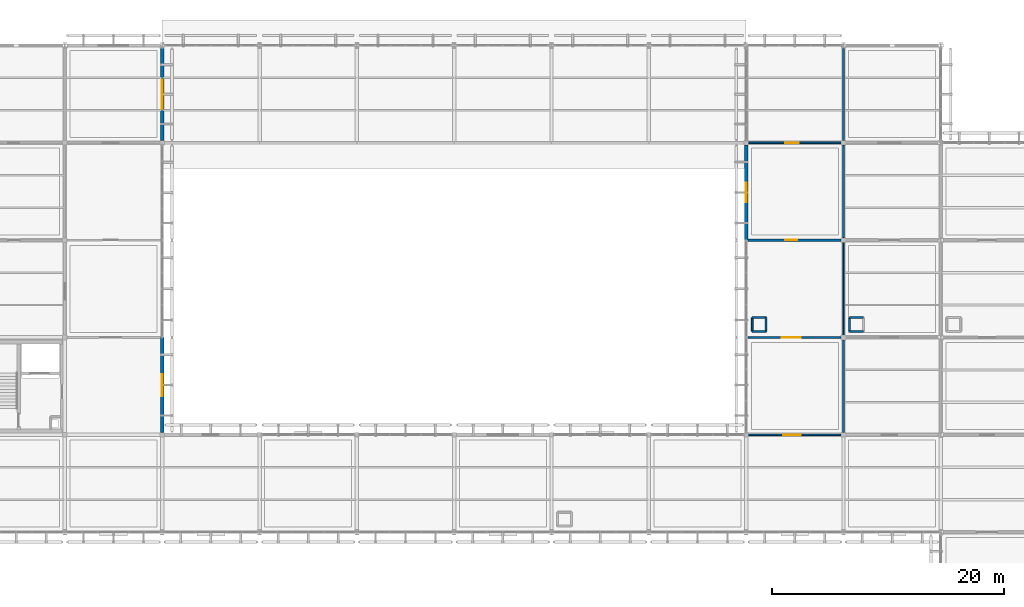
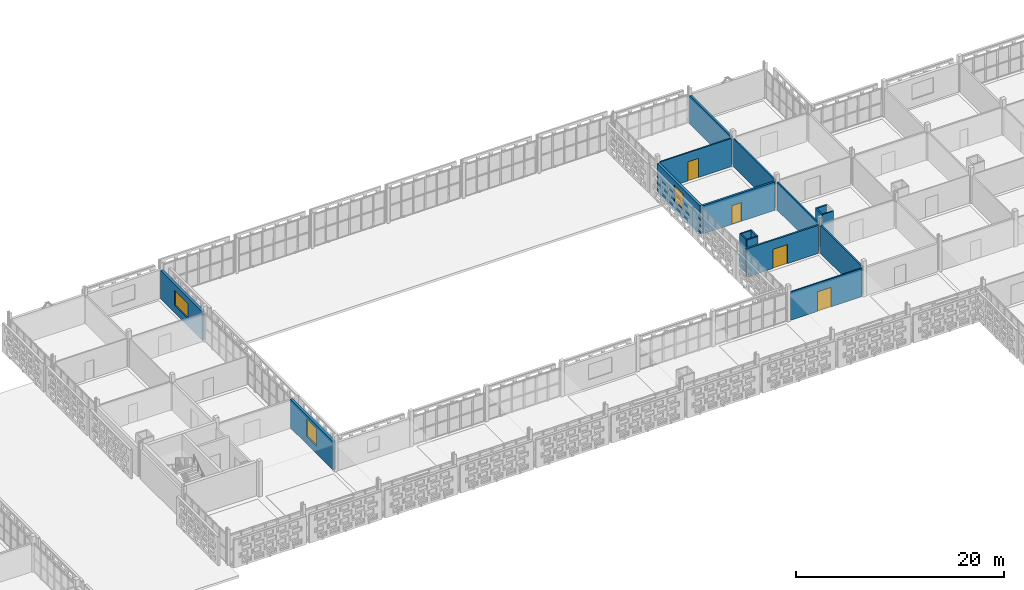
# One storey, part 102 of 166: 18 walls, 4 doors, 3 windows, 7 openings.
"""IFC4 building model written with IfcOpenShell, lengths in metres."""

import ifcopenshell
import ifcopenshell.guid

model = None  # the IFC model being written
_history = None  # IfcOwnerHistory: only IFC2X3 demands one
_inside = {}  # id of a spatial element -> (the spatial element, [elements in it])
_under = {}  # id of a project, library or spatial element -> (it, [spatial elements below it])
_declared = {}  # id of a project -> (the project, [libraries it declares])
_typed = {}  # id of a type object -> (the type object, [elements of that type])
_made_of = {}  # id of a material, layer set ... -> (it, [elements and type objects made of it])


def new_model(schema):
    """Start an empty IFC model of exactly this schema.

    Asked for "IFC4X3", IfcOpenShell would pick the latest addendum, in which some entities
    have other attributes; the version numbers below select the first issue.
    IFC2X3 requires an IfcOwnerHistory on every rooted entity: one is made here for all.
    """
    global model, _history
    if schema == "IFC4X3":
        model = ifcopenshell.file(schema_version=(4, 3, 0, 0))
    else:
        model = ifcopenshell.file(schema=schema)
    _inside.clear()
    _under.clear()
    _declared.clear()
    _typed.clear()
    _made_of.clear()
    _history = None
    if model.schema == "IFC2X3":
        org = make("IfcOrganization", Name="unknown")
        user = make(
            "IfcPersonAndOrganization",
            ThePerson=make("IfcPerson", FamilyName="unknown"),
            TheOrganization=org,
        )
        app = make(
            "IfcApplication",
            ApplicationDeveloper=org,
            Version="unknown",
            ApplicationFullName="unknown",
            ApplicationIdentifier="unknown",
        )
        _history = make(
            "IfcOwnerHistory",
            OwningUser=user,
            OwningApplication=app,
            ChangeAction="ADDED",
            CreationDate=0,
        )
    return model


def make(cls, **values):
    """One entity of the class cls with the attributes given. An attribute that is None is left unset."""
    return model.create_entity(
        cls, **{name: value for name, value in values.items() if value is not None}
    )


def rooted(cls, **values):
    """An entity with a GlobalId (a new one), such as an element, a storey or a relation."""
    return make(cls, GlobalId=ifcopenshell.guid.new(), OwnerHistory=_history, **values)


def si_unit(unit_type, name, prefix=None):
    """IfcSIUnit, for example si_unit("LENGTHUNIT", "METRE", prefix="MILLI")."""
    return make("IfcSIUnit", UnitType=unit_type, Prefix=prefix, Name=name)


def assignment(units):
    """IfcUnitAssignment: the units of a project."""
    return None if units is None else make("IfcUnitAssignment", Units=units)


def point(xyz):
    """IfcCartesianPoint."""
    return None if xyz is None else make("IfcCartesianPoint", Coordinates=xyz)


def direction(xyz):
    """IfcDirection."""
    return None if xyz is None else make("IfcDirection", DirectionRatios=xyz)


def frame(location, z_axis=None, x_axis=None):
    """IfcAxis2Placement3D, a coordinate frame: its origin and axes. An axis left out is left unset."""
    return make(
        "IfcAxis2Placement3D",
        Location=point(location),
        Axis=direction(z_axis),
        RefDirection=direction(x_axis),
    )


def frame_2d(location, x_axis=None):
    """IfcAxis2Placement2D, a coordinate frame in the plane: its origin and x axis."""
    return make(
        "IfcAxis2Placement2D", Location=point(location), RefDirection=direction(x_axis)
    )


def origin():
    """The frame at (0, 0, 0) with its axes left unset."""
    return frame((0.0, 0.0, 0.0))


def place(relative_to, where):
    """IfcLocalPlacement: puts the frame where relative to a parent placement (None: the world)."""
    return make(
        "IfcLocalPlacement", PlacementRelTo=relative_to, RelativePlacement=where
    )


def context(
    kind, dimensions, precision=None, world=None, true_north=None, identifier=None
):
    """IfcGeometricRepresentationContext, for example the 3D "Model" context."""
    return make(
        "IfcGeometricRepresentationContext",
        ContextIdentifier=identifier,
        ContextType=kind,
        CoordinateSpaceDimension=dimensions,
        Precision=precision,
        WorldCoordinateSystem=world,
        TrueNorth=true_north,
    )


def subcontext(parent, identifier, kind, view, scale=None):
    """IfcGeometricRepresentationSubContext, for example "Body" below "Model"."""
    return make(
        "IfcGeometricRepresentationSubContext",
        ContextIdentifier=identifier,
        ContextType=kind,
        ParentContext=parent,
        TargetScale=scale,
        TargetView=view,
    )


def project(units=None, contexts=None):
    """IfcProject with its units and contexts."""
    return rooted(
        "IfcProject",
        Name="project",
        RepresentationContexts=contexts,
        UnitsInContext=assignment(units),
    )


def spatial(cls, under=None, at=None, **own):
    """A site, building, storey or space (cls), placed at a placement, below another one or the project."""
    s = rooted(cls, ObjectPlacement=at, **own)
    if under is not None:
        _under.setdefault(under.id(), (under, []))[1].append(s)
    return s


def profile(cls, at=None, kind="AREA", **sizes):
    """A parametric profile (cls). Its sizes go by their IFC names, for example OverallWidth=200.0."""
    return make(cls, ProfileType=kind, Position=at, **sizes)


def rectangle(**sizes):
    """IfcRectangleProfileDef."""
    return profile("IfcRectangleProfileDef", **sizes)


def extrude(swept, where, along, depth):
    """IfcExtrudedAreaSolid: the profile swept, set in the frame where, extruded along a direction by depth."""
    return make(
        "IfcExtrudedAreaSolid",
        SweptArea=swept,
        Position=where,
        ExtrudedDirection=direction(along),
        Depth=depth,
    )


def shape(context_of_items, identifier, shape_type, items):
    """IfcShapeRepresentation: the items that make up one representation, for example the "Body"."""
    return make(
        "IfcShapeRepresentation",
        ContextOfItems=context_of_items,
        RepresentationIdentifier=identifier,
        RepresentationType=shape_type,
        Items=items,
    )


def material(Name=None, Category=None):
    """IfcMaterial."""
    return make("IfcMaterial", Name=Name, Category=Category)


def layer(
    of_material, thickness, ventilated=None, Name=None, Category=None, Priority=None
):
    """IfcMaterialLayer: one layer of a wall or slab, of a material (None: an air gap)."""
    return make(
        "IfcMaterialLayer",
        Material=of_material,
        LayerThickness=thickness,
        IsVentilated=ventilated,
        Name=Name,
        Category=Category,
        Priority=Priority,
    )


def layer_set(layers, Name=None):
    """IfcMaterialLayerSet."""
    return make("IfcMaterialLayerSet", MaterialLayers=layers, LayerSetName=Name)


def made_of(thing, what):
    """Note that an element or type object is made of a material, layer set ...; save() writes the relation."""
    if what is not None:
        _made_of.setdefault(what.id(), (what, []))[1].append(thing)
    return thing


def type_object(cls, material=None, **own):
    """A type object (cls), such as IfcWallType, which elements share."""
    return made_of(rooted(cls, **own), material)


def element(
    cls,
    number,
    at=None,
    inside=None,
    cuts=None,
    type_object=None,
    material=None,
    context=None,
    identifier="Body",
    shape_type=None,
    held_by="IfcProductDefinitionShape",
    body=None,
    shapes=None,
    **own,
):
    """One element of the class cls, such as IfcWall. Its Tag is "e" and its number.

    at: its placement. inside: the storey or other place that contains it. cuts: it is an
    opening in that element (IfcRelVoidsElement). A single representation is given by context,
    identifier, shape_type and body (its items); several are given by shapes. held_by: the class
    of the entity that holds the representations. save() writes the other relations.
    """
    e = rooted(cls, Tag="e%d" % number, ObjectPlacement=at, **own)
    if body is not None:
        shapes = [shape(context, identifier, shape_type, body)]
    if shapes is not None:
        e.Representation = make(held_by, Representations=shapes)
    if inside is not None:
        _inside.setdefault(inside.id(), (inside, []))[1].append(e)
    if cuts is not None:
        rooted(
            "IfcRelVoidsElement", RelatingBuildingElement=cuts, RelatedOpeningElement=e
        )
    if type_object is not None:
        _typed.setdefault(type_object.id(), (type_object, []))[1].append(e)
    return made_of(e, material)


def fill(opening, filler):
    """IfcRelFillsElement: the door or window that sits in an opening."""
    return rooted(
        "IfcRelFillsElement",
        RelatingOpeningElement=opening,
        RelatedBuildingElement=filler,
    )


def aggregate(whole, parts):
    """IfcRelAggregates: a whole, such as a stair, and the parts it consists of."""
    return rooted("IfcRelAggregates", RelatingObject=whole, RelatedObjects=parts)


def save(model, path):
    """Write the relations noted so far, then the file.

    IfcRelAggregates (storeys below a building ...), IfcRelContainedInSpatialStructure (elements
    in a storey), IfcRelDefinesByType, IfcRelAssociatesMaterial and IfcRelDeclares: one each for
    every whole, place, type object, material and project.
    """
    for whole, parts in _under.values():
        aggregate(whole, parts)
    for where, things in _inside.values():
        rooted(
            "IfcRelContainedInSpatialStructure",
            RelatedElements=things,
            RelatingStructure=where,
        )
    for kind, things in _typed.values():
        rooted("IfcRelDefinesByType", RelatedObjects=things, RelatingType=kind)
    for what, things in _made_of.values():
        rooted("IfcRelAssociatesMaterial", RelatedObjects=things, RelatingMaterial=what)
    for by, libraries in _declared.values():
        rooted("IfcRelDeclares", RelatingContext=by, RelatedDefinitions=libraries)
    model.write(path)


model = new_model("IFC4")

# Units and contexts
model_context = context("Model", 3, precision=1e-05, world=origin(), true_north=direction((0.0, 1.0)))
body_context = subcontext(model_context, "Body", "Model", "MODEL_VIEW")
ifc_project = project(units=[si_unit("LENGTHUNIT", "METRE"), si_unit("AREAUNIT", "SQUARE_METRE"), si_unit("VOLUMEUNIT", "CUBIC_METRE"), si_unit("PLANEANGLEUNIT", "RADIAN"), si_unit("MASSUNIT", "GRAM", prefix="KILO")], contexts=[model_context])

# Site, building, storey
site_placement = place(None, origin())
site = spatial("IfcSite", under=ifc_project, at=site_placement, CompositionType="ELEMENT")
building_placement = place(site_placement, origin())
building = spatial("IfcBuilding", under=site, at=building_placement, Name="Varnapada Polytechnic", CompositionType="ELEMENT")
storey_placement = place(building_placement, frame((0.0, 0.0, 9.60009765625)))
storey = spatial("IfcBuildingStorey", under=building, at=storey_placement, Name="L02", CompositionType="ELEMENT", Elevation=9.60009765625)

# Walls
ifc_material_1 = material(Name="Autoclaved Aerated Concrete Block AAC-600", Category="concrete")
ifc_layer_1 = layer(ifc_material_1, 0.14990234375)
ifc_layer_set_1 = layer_set([ifc_layer_1], Name="Autoclaved Aerated Concrete Block AAC-600")
wall_type_1 = type_object("IfcWallType", Name="Interior Wall IW-02", PredefinedType="PARTITIONING", material=ifc_layer_set_1)
for number, where, z_axis, x_axis, name in (
    (1, (118.1201171875, 101.320068359375, 0.0), (0.0, 0.0, 1.0), (1.0, 0.0, 0.0), "L02 enclosed service riser wall (15,13) S"),
    (2, (119.320068359375, 101.320068359375, 0.0), (0.0, 0.0, 1.0), (0.0, 1.0, 0.0), "L02 enclosed service riser wall (15,13) E"),
    (3, (119.320068359375, 102.52001953125, 0.0), (0.0, 0.0, 1.0), (-1.0, 0.0, 0.0), "L02 enclosed service riser wall (15,13) N"),
    (4, (118.1201171875, 102.52001953125, 0.0), (0.0, 0.0, 1.0), (0.0, -1.0, 0.0), "L02 enclosed service riser wall (15,13) W"),
):
    element("IfcWall", number, at=place(storey_placement, frame(where, z_axis=z_axis, x_axis=x_axis)), inside=storey, type_object=wall_type_1, Name=name, PredefinedType="PARTITIONING", context=body_context, shape_type="SweptSolid", body=[
        extrude(rectangle(XDim=1.199951171875, YDim=0.14990234375, at=frame_2d((0.60009765625, 0.0))), origin(), (0.0, 0.0, 1.0), 3.929931640625),
    ])
for number, where, z_axis, x_axis, name in (
    (5, (126.52001953125, 101.320068359375, 0.0), (0.0, 0.0, 1.0), (1.0, 0.0, 0.0), "L02 enclosed service riser wall (16,13) S"),
    (6, (127.719970703125, 102.52001953125, 0.0), (0.0, 0.0, 1.0), (-1.0, 0.0, 0.0), "L02 enclosed service riser wall (16,13) N"),
    (7, (126.52001953125, 102.52001953125, 0.0), (0.0, 0.0, 1.0), (0.0, -1.0, 0.0), "L02 enclosed service riser wall (16,13) W"),
):
    element("IfcWall", number, at=place(storey_placement, frame(where, z_axis=z_axis, x_axis=x_axis)), inside=storey, type_object=wall_type_1, Name=name, PredefinedType="PARTITIONING", context=body_context, shape_type="SweptSolid", body=[
        extrude(rectangle(XDim=1.199951171875, YDim=0.14990234375, at=frame_2d((0.60009765625, 0.0))), origin(), (0.0, 0.0, 1.0), 3.9599609375),
    ])

# Wall, opening, door
ifc_material_2 = material(Name="Calcium Silicate Acoustic Lab Partition")
ifc_layer_2 = layer(ifc_material_2, 0.135009765625)
ifc_layer_set_2 = layer_set([ifc_layer_2], Name="Calcium Silicate Acoustic Lab Partition")
wall_type_2 = type_object("IfcWallType", Name="Interior Wall IW-09", PredefinedType="PARTITIONING", material=ifc_layer_set_2)
wall_1_placement = place(storey_placement, frame((117.81005859375, 92.39990234375, 0.0), z_axis=(0.0, 0.0, 1.0), x_axis=(1.0, 0.0, 0.0)))
wall_1 = element("IfcWall", 8, at=wall_1_placement, inside=storey, type_object=wall_type_2, Name="L02 interior partition IW-L02-14-10-H", PredefinedType="PARTITIONING", context=body_context, shape_type="SweptSolid", body=[
    extrude(rectangle(XDim=7.969970703125, YDim=0.135009765625, at=frame_2d((3.98486328125, 0.0))), origin(), (0.0, 0.0, 1.0), 3.31982421875),
])
opening_1_placement = place(wall_1_placement, frame((3.0, 0.0, 0.0)))
opening_1 = element("IfcOpeningElement", 9, at=opening_1_placement, cuts=wall_1, Name="Opening D-1144", PredefinedType="OPENING", context=body_context, shape_type="SweptSolid", body=[
    extrude(rectangle(XDim=1.5, YDim=2.300048828125, at=frame_2d((0.75, 1.14990234375))), frame((0.0, 0.077392578125, 0.0), z_axis=(0.0, -1.0, 0.0), x_axis=(1.0, 0.0, 0.0)), (0.0, 0.0, 1.0), 0.155029296875),
])
ifc_material_3 = material(Name="Galvanized Steel Z275", Category="steel")
door_type_1 = type_object("IfcDoorType", Name="Interior Door ID-07", OperationType="NOTDEFINED", PredefinedType="DOOR", material=ifc_material_3)
door_1_placement = place(opening_1_placement, origin())
door_1 = element("IfcDoor", 10, at=door_1_placement, inside=storey, type_object=door_type_1, Name="L02 interior room door D-1144", OperationType="SINGLE_SWING_LEFT", OverallHeight=2.300048828125, OverallWidth=1.5, PredefinedType="DOOR", context=body_context, shape_type="SweptSolid", body=[
    extrude(rectangle(XDim=1.5, YDim=2.300048828125, at=frame_2d((0.75, 1.14990234375))), frame((0.0, 0.02490234375, 0.0), z_axis=(0.0, -1.0, 0.0), x_axis=(1.0, 0.0, 0.0)), (0.0, 0.0, 1.0), 0.050048828125),
])
fill(opening_1, door_1)

# Wall
ifc_material_4 = material(Name="Double-Layer Fireboard Workshop Wall")
ifc_layer_3 = layer(ifc_material_4, 0.169921875)
ifc_layer_set_3 = layer_set([ifc_layer_3], Name="Double-Layer Fireboard Workshop Wall")
wall_type_3 = type_object("IfcWallType", Name="Interior Wall IW-10", PredefinedType="PARTITIONING", material=ifc_layer_set_3)
wall_2_placement = place(storey_placement, frame((126.0, 92.6201171875, 0.0), z_axis=(0.0, 0.0, 1.0), x_axis=(0.0, 1.0, 0.0)))
element("IfcWall", 11, at=wall_2_placement, inside=storey, type_object=wall_type_3, Name="L02 interior partition IW-L02-14-11-V", PredefinedType="PARTITIONING", context=body_context, shape_type="SweptSolid", body=[
    extrude(rectangle(XDim=7.9599609375, YDim=0.169921875, at=frame_2d((3.97998046875, 0.0))), origin(), (0.0, 0.0, 1.0), 3.31982421875),
])

# Wall, opening, door
ifc_material_5 = material(Name="Insulated Masonry Plant Room Wall", Category="masonry")
ifc_layer_4 = layer(ifc_material_5, 0.18994140625)
ifc_layer_set_4 = layer_set([ifc_layer_4], Name="Insulated Masonry Plant Room Wall")
wall_type_4 = type_object("IfcWallType", Name="Interior Wall IW-11", PredefinedType="PARTITIONING", material=ifc_layer_set_4)
wall_3_placement = place(storey_placement, frame((117.7451171875, 100.800048828125, 0.0), z_axis=(0.0, 0.0, 1.0), x_axis=(1.0, 0.0, 0.0)))
wall_3 = element("IfcWall", 12, at=wall_3_placement, inside=storey, type_object=wall_type_4, Name="L02 interior partition IW-L02-14-11-H", PredefinedType="PARTITIONING", context=body_context, shape_type="SweptSolid", body=[
    extrude(rectangle(XDim=8.034912109375, YDim=0.18994140625, at=frame_2d((4.017578125, 0.0))), origin(), (0.0, 0.0, 1.0), 3.31982421875),
])
opening_2_placement = place(wall_3_placement, frame((2.925048828125, 0.0, 0.0)))
opening_2 = element("IfcOpeningElement", 13, at=opening_2_placement, cuts=wall_3, Name="Opening D-1145", PredefinedType="OPENING", context=body_context, shape_type="SweptSolid", body=[
    extrude(rectangle(XDim=1.64990234375, YDim=2.25, at=frame_2d((0.824951171875, 1.125))), frame((0.0, 0.10498046875, 0.0), z_axis=(0.0, -1.0, 0.0), x_axis=(1.0, 0.0, 0.0)), (0.0, 0.0, 1.0), 0.2099609375),
])
ifc_material_6 = material(Name="Solid Teak Hardwood Timber", Category="wood")
door_type_2 = type_object("IfcDoorType", Name="Interior Door ID-08", OperationType="NOTDEFINED", PredefinedType="DOOR", material=ifc_material_6)
door_2_placement = place(opening_2_placement, frame((1.64990234375, 0.0, 0.0), z_axis=(0.0, 0.0, 1.0), x_axis=(-1.0, 0.0, 0.0)))
door_2 = element("IfcDoor", 14, at=door_2_placement, inside=storey, type_object=door_type_2, Name="L02 interior room door D-1145", OperationType="SINGLE_SWING_RIGHT", OverallHeight=2.25, OverallWidth=1.64990234375, PredefinedType="DOOR", context=body_context, shape_type="SweptSolid", body=[
    extrude(rectangle(XDim=1.64990234375, YDim=2.25, at=frame_2d((0.824951171875, 1.125))), frame((0.0, 0.02490234375, 0.0), z_axis=(0.0, -1.0, 0.0), x_axis=(1.0, 0.0, 0.0)), (0.0, 0.0, 1.0), 0.050048828125),
])
fill(opening_2, door_2)

# Wall
ifc_material_7 = material(Name="Timber-Stud Studio Critique Partition", Category="wood")
ifc_layer_5 = layer(ifc_material_7, 0.114990234375)
ifc_layer_set_5 = layer_set([ifc_layer_5], Name="Timber-Stud Studio Critique Partition")
wall_type_5 = type_object("IfcWallType", Name="Interior Wall IW-12", PredefinedType="PARTITIONING", material=ifc_layer_set_5)
wall_4_placement = place(storey_placement, frame((126.0, 101.02001953125, 0.0), z_axis=(0.0, 0.0, 1.0), x_axis=(0.0, 1.0, 0.0)))
element("IfcWall", 15, at=wall_4_placement, inside=storey, type_object=wall_type_5, Name="L02 interior partition IW-L02-14-12-V", PredefinedType="PARTITIONING", context=body_context, shape_type="SweptSolid", body=[
    extrude(rectangle(XDim=7.9599609375, YDim=0.114990234375, at=frame_2d((3.97998046875, 0.0))), origin(), (0.0, 0.0, 1.0), 3.31982421875),
])

# Wall, opening, door
ifc_material_8 = material(Name="Heavy Acoustic Auditorium Baffle Wall")
ifc_layer_6 = layer(ifc_material_8, 0.219970703125)
ifc_layer_set_6 = layer_set([ifc_layer_6], Name="Heavy Acoustic Auditorium Baffle Wall")
wall_type_6 = type_object("IfcWallType", Name="Interior Wall IW-13", PredefinedType="PARTITIONING", material=ifc_layer_set_6)
wall_5_placement = place(storey_placement, frame((117.7451171875, 109.199951171875, 0.0), z_axis=(0.0, 0.0, 1.0), x_axis=(1.0, 0.0, 0.0)))
wall_5 = element("IfcWall", 16, at=wall_5_placement, inside=storey, type_object=wall_type_6, Name="L02 interior partition IW-L02-14-12-H", PredefinedType="PARTITIONING", context=body_context, shape_type="SweptSolid", body=[
    extrude(rectangle(XDim=8.034912109375, YDim=0.219970703125, at=frame_2d((4.017578125, 0.0))), origin(), (0.0, 0.0, 1.0), 3.31982421875),
])
opening_3_placement = place(wall_5_placement, frame((3.22509765625, 0.0, 0.0)))
opening_3 = element("IfcOpeningElement", 17, at=opening_3_placement, cuts=wall_5, Name="Opening D-1146", PredefinedType="OPENING", context=body_context, shape_type="SweptSolid", body=[
    extrude(rectangle(XDim=1.050048828125, YDim=2.199951171875, at=frame_2d((0.52490234375, 1.10009765625))), frame((0.0, 0.119873046875, 0.0), z_axis=(0.0, -1.0, 0.0), x_axis=(1.0, 0.0, 0.0)), (0.0, 0.0, 1.0), 0.239990234375),
])
door_type_3 = type_object("IfcDoorType", Name="Interior Door ID-09", OperationType="NOTDEFINED", PredefinedType="DOOR", material=ifc_material_6)
door_3_placement = place(opening_3_placement, origin())
door_3 = element("IfcDoor", 18, at=door_3_placement, inside=storey, type_object=door_type_3, Name="L02 interior room door D-1146", OperationType="SINGLE_SWING_LEFT", OverallHeight=2.199951171875, OverallWidth=1.050048828125, PredefinedType="DOOR", context=body_context, shape_type="SweptSolid", body=[
    extrude(rectangle(XDim=1.050048828125, YDim=2.199951171875, at=frame_2d((0.52490234375, 1.10009765625))), frame((0.0, 0.02490234375, 0.0), z_axis=(0.0, -1.0, 0.0), x_axis=(1.0, 0.0, 0.0)), (0.0, 0.0, 1.0), 0.050048828125),
])
fill(opening_3, door_3)

# Wall
ifc_material_9 = material(Name="Ceramic-Tiled Wet Laboratory Wall")
ifc_layer_7 = layer(ifc_material_9, 0.14501953125)
ifc_layer_set_7 = layer_set([ifc_layer_7], Name="Ceramic-Tiled Wet Laboratory Wall")
wall_type_7 = type_object("IfcWallType", Name="Interior Wall IW-14", PredefinedType="PARTITIONING", material=ifc_layer_set_7)
wall_6_placement = place(storey_placement, frame((126.0, 109.419921875, 0.0), z_axis=(0.0, 0.0, 1.0), x_axis=(0.0, 1.0, 0.0)))
element("IfcWall", 19, at=wall_6_placement, inside=storey, type_object=wall_type_7, Name="L02 interior partition IW-L02-14-13-V", PredefinedType="PARTITIONING", context=body_context, shape_type="SweptSolid", body=[
    extrude(rectangle(XDim=7.9599609375, YDim=0.14501953125, at=frame_2d((3.97998046875, 0.0))), origin(), (0.0, 0.0, 1.0), 3.31982421875),
])

# Wall, opening, door
ifc_material_10 = material(Name="Perforated Timber-Lined Seminar Wall", Category="wood")
ifc_layer_8 = layer(ifc_material_10, 0.155029296875)
ifc_layer_set_8 = layer_set([ifc_layer_8], Name="Perforated Timber-Lined Seminar Wall")
wall_type_8 = type_object("IfcWallType", Name="Interior Wall IW-15", PredefinedType="PARTITIONING", material=ifc_layer_set_8)
wall_7_placement = place(storey_placement, frame((117.800048828125, 117.60009765625, 0.0), z_axis=(0.0, 0.0, 1.0), x_axis=(1.0, 0.0, 0.0)))
wall_7 = element("IfcWall", 20, at=wall_7_placement, inside=storey, type_object=wall_type_8, Name="L02 interior partition IW-L02-14-13-H", PredefinedType="PARTITIONING", context=body_context, shape_type="SweptSolid", body=[
    extrude(rectangle(XDim=7.97998046875, YDim=0.155029296875, at=frame_2d((3.989990234375, 0.0))), origin(), (0.0, 0.0, 1.0), 3.31982421875),
])
opening_4_placement = place(wall_7_placement, frame((3.175048828125, 0.0, 0.0)))
opening_4 = element("IfcOpeningElement", 21, at=opening_4_placement, cuts=wall_7, Name="Opening D-1147", PredefinedType="OPENING", context=body_context, shape_type="SweptSolid", body=[
    extrude(rectangle(XDim=1.14990234375, YDim=2.25, at=frame_2d((0.574951171875, 1.125))), frame((0.0, 0.08740234375, 0.0), z_axis=(0.0, -1.0, 0.0), x_axis=(1.0, 0.0, 0.0)), (0.0, 0.0, 1.0), 0.175048828125),
])
ifc_material_11 = material(Name="Powder-Coated Aluminium 6063-T6", Category="aluminium")
door_type_4 = type_object("IfcDoorType", Name="Interior Door ID-10", OperationType="NOTDEFINED", PredefinedType="DOOR", material=ifc_material_11)
door_4_placement = place(opening_4_placement, origin())
door_4 = element("IfcDoor", 22, at=door_4_placement, inside=storey, type_object=door_type_4, Name="L02 interior room door D-1147", OperationType="SINGLE_SWING_RIGHT", OverallHeight=2.25, OverallWidth=1.14990234375, PredefinedType="DOOR", context=body_context, shape_type="SweptSolid", body=[
    extrude(rectangle(XDim=1.14990234375, YDim=2.25, at=frame_2d((0.574951171875, 1.125))), frame((0.0, 0.02490234375, 0.0), z_axis=(0.0, -1.0, 0.0), x_axis=(1.0, 0.0, 0.0)), (0.0, 0.0, 1.0), 0.050048828125),
])
fill(opening_4, door_4)

# Wall
ifc_material_12 = material(Name="Heavy Masonry Workshop Partition", Category="masonry")
ifc_layer_9 = layer(ifc_material_12, 0.2099609375)
ifc_layer_set_9 = layer_set([ifc_layer_9], Name="Heavy Masonry Workshop Partition")
wall_type_9 = type_object("IfcWallType", Name="Interior Wall IW-16", PredefinedType="PARTITIONING", material=ifc_layer_set_9)
wall_8_placement = place(storey_placement, frame((126.0, 117.820068359375, 0.0), z_axis=(0.0, 0.0, 1.0), x_axis=(0.0, 1.0, 0.0)))
element("IfcWall", 23, at=wall_8_placement, inside=storey, type_object=wall_type_9, Name="L02 interior partition IW-L02-14-14-V", PredefinedType="PARTITIONING", context=body_context, shape_type="SweptSolid", body=[
    extrude(rectangle(XDim=7.934814453125, YDim=0.2099609375, at=frame_2d((3.96728515625, 0.0))), origin(), (0.0, 0.0, 1.0), 3.31982421875),
])

# Wall, opening, window
ifc_material_13 = material(Name="Precast concrete C40/50", Category="concrete")
ifc_layer_10 = layer(ifc_material_13, 0.280029296875)
ifc_layer_set_10 = layer_set([ifc_layer_10], Name="Precast concrete C40/50")
wall_type_10 = type_object("IfcWallType", Name="Wall EW-02", PredefinedType="SOLIDWALL", material=ifc_layer_set_10)
wall_9_placement = place(storey_placement, frame((67.199951171875, 100.800048828125, 0.0), z_axis=(0.0, 0.0, 1.0), x_axis=(0.0, -1.0, 0.0)))
wall_9 = element("IfcWall", 24, at=wall_9_placement, inside=storey, type_object=wall_type_10, Name="L02 exterior wall EW-02 (53)", PredefinedType="SOLIDWALL", context=body_context, shape_type="SweptSolid", body=[
    extrude(rectangle(XDim=8.2099609375, YDim=0.280029296875, at=frame_2d((4.10498046875, 0.0))), origin(), (0.0, 0.0, 1.0), 3.35986328125),
])
opening_5_placement = place(wall_9_placement, frame((3.155029296875, 0.0, 0.89990234375)))
opening_5 = element("IfcOpeningElement", 25, at=opening_5_placement, cuts=wall_9, Name="Opening WN-18", PredefinedType="OPENING", context=body_context, shape_type="SweptSolid", body=[
    extrude(rectangle(XDim=1.89990234375, YDim=2.050048828125, at=frame_2d((0.949951171875, 1.02490234375))), frame((0.0, 0.14990234375, 0.0), z_axis=(0.0, -1.0, 0.0), x_axis=(1.0, 0.0, 0.0)), (0.0, 0.0, 1.0), 0.300048828125),
])
ifc_material_14 = material(Name="Double low-E laminated glass", Category="glass")
window_type_1 = type_object("IfcWindowType", Name="Window WN-18", PartitioningType="SINGLE_PANEL", PredefinedType="WINDOW", material=ifc_material_14)
window_1_placement = place(opening_5_placement, origin())
window_1 = element("IfcWindow", 26, at=window_1_placement, inside=storey, type_object=window_type_1, Name="L02 window WN-18 (116)", OverallHeight=2.050048828125, OverallWidth=1.89990234375, PartitioningType="SINGLE_PANEL", PredefinedType="WINDOW", context=body_context, shape_type="SweptSolid", body=[
    extrude(rectangle(XDim=1.89990234375, YDim=2.050048828125, at=frame_2d((0.949951171875, 1.02490234375))), frame((0.0, 0.030029296875, 0.0), z_axis=(0.0, -1.0, 0.0), x_axis=(1.0, 0.0, 0.0)), (0.0, 0.0, 1.0), 0.06005859375),
])
fill(opening_5, window_1)

wall_10_placement = place(storey_placement, frame((67.199951171875, 125.77490234375, 0.0), z_axis=(0.0, 0.0, 1.0), x_axis=(0.0, -1.0, 0.0)))
wall_10 = element("IfcWall", 27, at=wall_10_placement, inside=storey, type_object=wall_type_10, Name="L02 exterior wall EW-02 (57)", PredefinedType="SOLIDWALL", context=body_context, shape_type="SweptSolid", body=[
    extrude(rectangle(XDim=7.98486328125, YDim=0.280029296875, at=frame_2d((3.992431640625, 0.0))), origin(), (0.0, 0.0, 1.0), 3.35986328125),
])
opening_6_placement = place(wall_10_placement, frame((2.717529296875, 0.0, 0.89990234375)))
opening_6 = element("IfcOpeningElement", 28, at=opening_6_placement, cuts=wall_10, Name="Opening WN-27", PredefinedType="OPENING", context=body_context, shape_type="SweptSolid", body=[
    extrude(rectangle(XDim=2.550048828125, YDim=1.75, at=frame_2d((1.27490234375, 0.875))), frame((0.0, 0.14990234375, 0.0), z_axis=(0.0, -1.0, 0.0), x_axis=(1.0, 0.0, 0.0)), (0.0, 0.0, 1.0), 0.300048828125),
])
window_type_2 = type_object("IfcWindowType", Name="Window WN-27", PartitioningType="SINGLE_PANEL", PredefinedType="WINDOW", material=ifc_material_14)
window_2_placement = place(opening_6_placement, origin())
window_2 = element("IfcWindow", 29, at=window_2_placement, inside=storey, type_object=window_type_2, Name="L02 window WN-27 (118)", OverallHeight=1.75, OverallWidth=2.550048828125, PartitioningType="SINGLE_PANEL", PredefinedType="WINDOW", context=body_context, shape_type="SweptSolid", body=[
    extrude(rectangle(XDim=2.550048828125, YDim=1.75, at=frame_2d((1.27490234375, 0.875))), frame((0.0, 0.030029296875, 0.0), z_axis=(0.0, -1.0, 0.0), x_axis=(1.0, 0.0, 0.0)), (0.0, 0.0, 1.0), 0.06005859375),
])
fill(opening_6, window_2)

wall_11_placement = place(storey_placement, frame((117.60009765625, 109.199951171875, 0.0), z_axis=(0.0, 0.0, 1.0), x_axis=(0.0, 1.0, 0.0)))
wall_11 = element("IfcWall", 30, at=wall_11_placement, inside=storey, type_object=wall_type_10, Name="L02 exterior wall EW-02 (73)", PredefinedType="SOLIDWALL", context=body_context, shape_type="SweptSolid", body=[
    extrude(rectangle(XDim=8.219970703125, YDim=0.280029296875, at=frame_2d((4.10986328125, 0.0))), origin(), (0.0, 0.0, 1.0), 3.35986328125),
])
opening_7_placement = place(wall_11_placement, frame((3.284912109375, 0.0, 0.89990234375)))
opening_7 = element("IfcOpeningElement", 31, at=opening_7_placement, cuts=wall_11, Name="Opening WN-23", PredefinedType="OPENING", context=body_context, shape_type="SweptSolid", body=[
    extrude(rectangle(XDim=1.64990234375, YDim=1.89990234375, at=frame_2d((0.824951171875, 0.949951171875))), frame((0.0, 0.14990234375, 0.0), z_axis=(0.0, -1.0, 0.0), x_axis=(1.0, 0.0, 0.0)), (0.0, 0.0, 1.0), 0.300048828125),
])
window_type_3 = type_object("IfcWindowType", Name="Window WN-23", PartitioningType="SINGLE_PANEL", PredefinedType="WINDOW", material=ifc_material_14)
window_3_placement = place(opening_7_placement, origin())
window_3 = element("IfcWindow", 32, at=window_3_placement, inside=storey, type_object=window_type_3, Name="L02 window WN-23 (121)", OverallHeight=1.89990234375, OverallWidth=1.64990234375, PartitioningType="SINGLE_PANEL", PredefinedType="WINDOW", context=body_context, shape_type="SweptSolid", body=[
    extrude(rectangle(XDim=1.64990234375, YDim=1.89990234375, at=frame_2d((0.824951171875, 0.949951171875))), frame((0.0, 0.030029296875, 0.0), z_axis=(0.0, -1.0, 0.0), x_axis=(1.0, 0.0, 0.0)), (0.0, 0.0, 1.0), 0.06005859375),
])
fill(opening_7, window_3)

save(model, "model.ifc")
